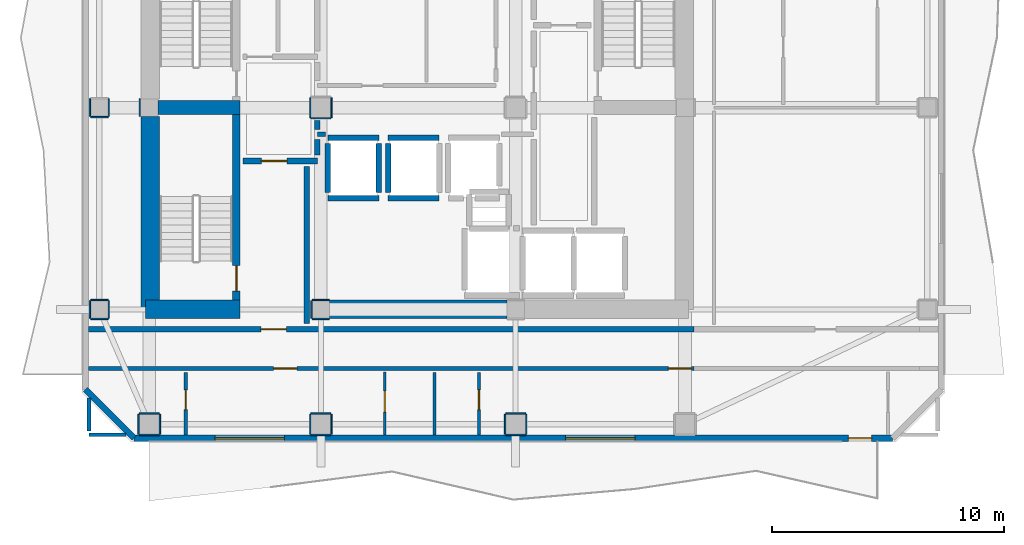
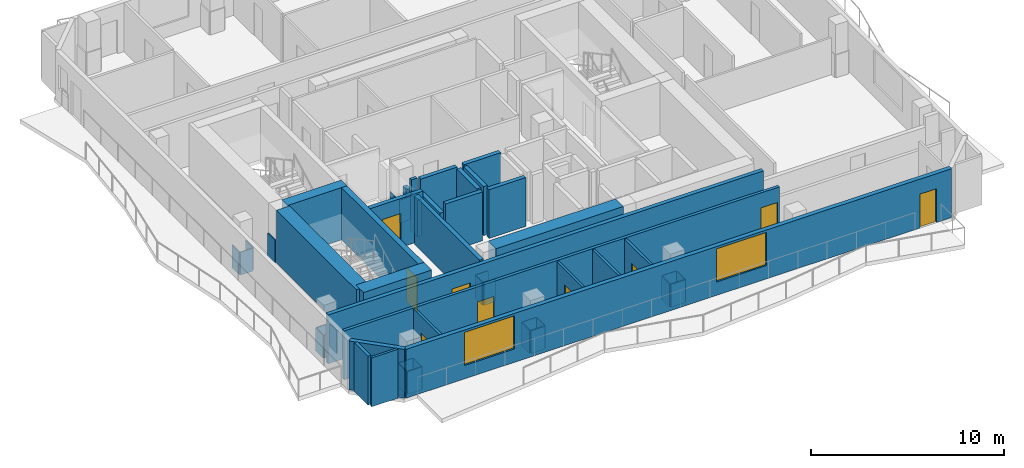
# One storey, part 2 of 9: 53 walls, 9 doors, 2 windows, 11 openings.
"""IFC4 building model written with IfcOpenShell, lengths in metres."""

from ifc_helpers import new_model, si_unit, direction, frame, frame_2d, origin, place, context, subcontext, project, spatial, rectangle, extrude, material, layer, layer_set, type_object, element, fill, save


model = new_model("IFC4")

# Units and contexts
model_context = context("Model", 3, precision=1e-05, world=origin(), true_north=direction((0.0, 1.0)))
body_context = subcontext(model_context, "Body", "Model", "MODEL_VIEW")
ifc_project = project(units=[si_unit("LENGTHUNIT", "METRE"), si_unit("AREAUNIT", "SQUARE_METRE"), si_unit("VOLUMEUNIT", "CUBIC_METRE"), si_unit("PLANEANGLEUNIT", "RADIAN"), si_unit("MASSUNIT", "GRAM", prefix="KILO")], contexts=[model_context])

# Site, building, storey
site_placement = place(None, origin())
site = spatial("IfcSite", under=ifc_project, at=site_placement, CompositionType="ELEMENT")
building_placement = place(site_placement, origin())
building = spatial("IfcBuilding", under=site, at=building_placement, Name="Solanera Arch Residences", CompositionType="ELEMENT")
storey_placement = place(building_placement, frame((0.0, 0.0, 241.239990234375)))
storey = spatial("IfcBuildingStorey", under=building, at=storey_placement, Name="L70", CompositionType="ELEMENT", Elevation=241.239990234375)

# Walls
ifc_material_1 = material(Name="Fire-Rated Gypsum Stud Partition", Category="gypsum")
ifc_layer_1 = layer(ifc_material_1, 0.06005859375)
ifc_layer_set_1 = layer_set([ifc_layer_1], Name="Fire-Rated Gypsum Stud Partition")
wall_type_1 = type_object("IfcWallType", Name="Column Acoustic Furring Wall 60", PredefinedType="PARTITIONING", material=ifc_layer_set_1)
for number, where, z_axis, x_axis, name in (
    (1, (20.425048828125, 21.593017578125, 0.0), (0.0, 0.0, 1.0), (1.0, 0.0, 0.0), "L70 Column Furring 1S"),
    (2, (20.425048828125, 22.406982421875, 0.0), (0.0, 0.0, 1.0), (1.0, 0.0, 0.0), "L70 Column Furring 1N"),
):
    element("IfcWall", number, at=place(storey_placement, frame(where, z_axis=z_axis, x_axis=x_axis)), inside=storey, type_object=wall_type_1, Name=name, PredefinedType="PARTITIONING", context=body_context, shape_type="SweptSolid", body=[
        extrude(rectangle(XDim=0.741943359375, YDim=0.06005859375, at=frame_2d((0.37109375, 0.0))), origin(), (0.0, 0.0, 1.0), 1.449951171875),
    ])
for number, where, z_axis, x_axis, name in (
    (3, (20.39306640625, 21.625, 0.0), (0.0, 0.0, 1.0), (0.0, 1.0, 0.0), "L70 Column Furring 1W"),
    (4, (12.992919921875, 30.324951171875, 0.0), (0.0, 0.0, 1.0), (0.0, 1.0, 0.0), "L70 Column Furring 5W"),
):
    element("IfcWall", number, at=place(storey_placement, frame(where, z_axis=z_axis, x_axis=x_axis)), inside=storey, type_object=wall_type_1, Name=name, PredefinedType="PARTITIONING", context=body_context, shape_type="SweptSolid", body=[
        extrude(rectangle(XDim=0.75, YDim=0.06005859375, at=frame_2d((0.375, 0.0))), origin(), (0.0, 0.0, 1.0), 1.449951171875),
    ])
for number, where, z_axis, x_axis, name in (
    (5, (20.375, 30.242919921875, 0.0), (0.0, 0.0, 1.0), (1.0, 0.0, 0.0), "L70 Column Furring 7S"),
    (6, (20.343017578125, 30.27490234375, 0.0), (0.0, 0.0, 1.0), (0.0, 1.0, 0.0), "L70 Column Furring 7W"),
    (7, (21.257080078125, 30.27490234375, 0.0), (0.0, 0.0, 1.0), (0.0, 1.0, 0.0), "L70 Column Furring 7E"),
):
    element("IfcWall", number, at=place(storey_placement, frame(where, z_axis=z_axis, x_axis=x_axis)), inside=storey, type_object=wall_type_1, Name=name, PredefinedType="PARTITIONING", context=body_context, shape_type="SweptSolid", body=[
        extrude(rectangle(XDim=0.85009765625, YDim=0.06005859375, at=frame_2d((0.425048828125, 0.0))), origin(), (0.0, 0.0, 1.0), 1.449951171875),
    ])
for number, where, z_axis, x_axis, name in (
    (8, (12.97509765625, 16.593017578125, 0.0), (0.0, 0.0, 1.0), (1.0, 0.0, 0.0), "L70 Column Furring 9S"),
    (9, (12.97509765625, 17.507080078125, 0.0), (0.0, 0.0, 1.0), (1.0, 0.0, 0.0), "L70 Column Furring 9N"),
):
    element("IfcWall", number, at=place(storey_placement, frame(where, z_axis=z_axis, x_axis=x_axis)), inside=storey, type_object=wall_type_1, Name=name, PredefinedType="PARTITIONING", context=body_context, shape_type="SweptSolid", body=[
        extrude(rectangle(XDim=0.849853515625, YDim=0.06005859375, at=frame_2d((0.4248046875, 0.0))), origin(), (0.0, 0.0, 1.0), 1.449951171875),
    ])
for number, where, z_axis, x_axis, name in (
    (10, (12.943115234375, 16.625, 0.0), (0.0, 0.0, 1.0), (0.0, 1.0, 0.0), "L70 Column Furring 9W"),
    (11, (13.85693359375, 16.625, 0.0), (0.0, 0.0, 1.0), (0.0, 1.0, 0.0), "L70 Column Furring 9E"),
    (12, (20.375, 16.593017578125, 0.0), (0.0, 0.0, 1.0), (1.0, 0.0, 0.0), "L70 Column Furring 11S"),
    (13, (20.375, 17.507080078125, 0.0), (0.0, 0.0, 1.0), (1.0, 0.0, 0.0), "L70 Column Furring 11N"),
    (14, (20.343017578125, 16.625, 0.0), (0.0, 0.0, 1.0), (0.0, 1.0, 0.0), "L70 Column Furring 11W"),
    (15, (21.257080078125, 16.625, 0.0), (0.0, 0.0, 1.0), (0.0, 1.0, 0.0), "L70 Column Furring 11E"),
    (16, (28.77490234375, 16.593017578125, 0.0), (0.0, 0.0, 1.0), (1.0, 0.0, 0.0), "L70 Column Furring 13S"),
    (17, (28.77490234375, 17.507080078125, 0.0), (0.0, 0.0, 1.0), (1.0, 0.0, 0.0), "L70 Column Furring 13N"),
    (18, (28.742919921875, 16.625, 0.0), (0.0, 0.0, 1.0), (0.0, 1.0, 0.0), "L70 Column Furring 13W"),
    (19, (29.656982421875, 16.625, 0.0), (0.0, 0.0, 1.0), (0.0, 1.0, 0.0), "L70 Column Furring 13E"),
):
    element("IfcWall", number, at=place(storey_placement, frame(where, z_axis=z_axis, x_axis=x_axis)), inside=storey, type_object=wall_type_1, Name=name, PredefinedType="PARTITIONING", context=body_context, shape_type="SweptSolid", body=[
        extrude(rectangle(XDim=0.85009765625, YDim=0.06005859375, at=frame_2d((0.425048828125, 0.0))), origin(), (0.0, 0.0, 1.0), 1.449951171875),
    ])
for number, where, z_axis, x_axis, name in (
    (20, (10.875, 21.593017578125, 0.0), (0.0, 0.0, 1.0), (1.0, 0.0, 0.0), "L70 Column Furring 17S"),
    (21, (10.875, 22.406982421875, 0.0), (0.0, 0.0, 1.0), (1.0, 0.0, 0.0), "L70 Column Furring 17N"),
    (22, (10.843017578125, 21.625, 0.0), (0.0, 0.0, 1.0), (0.0, 1.0, 0.0), "L70 Column Furring 17W"),
    (23, (11.656982421875, 21.625, 0.0), (0.0, 0.0, 1.0), (0.0, 1.0, 0.0), "L70 Column Furring 17E"),
    (24, (10.875, 30.29296875, 0.0), (0.0, 0.0, 1.0), (1.0, 0.0, 0.0), "L70 Column Furring 19S"),
    (25, (10.843017578125, 30.324951171875, 0.0), (0.0, 0.0, 1.0), (0.0, 1.0, 0.0), "L70 Column Furring 19W"),
    (26, (11.656982421875, 30.324951171875, 0.0), (0.0, 0.0, 1.0), (0.0, 1.0, 0.0), "L70 Column Furring 19E"),
):
    element("IfcWall", number, at=place(storey_placement, frame(where, z_axis=z_axis, x_axis=x_axis)), inside=storey, type_object=wall_type_1, Name=name, PredefinedType="PARTITIONING", context=body_context, shape_type="SweptSolid", body=[
        extrude(rectangle(XDim=0.75, YDim=0.06005859375, at=frame_2d((0.375, 0.0))), origin(), (0.0, 0.0, 1.0), 1.449951171875),
    ])

# Wall, opening, door
ifc_material_2 = material(Name="Concrete C40/50 (f'c = 45 MPa)", Category="concrete")
ifc_layer_2 = layer(ifc_material_2, 0.320068359375)
ifc_layer_set_2 = layer_set([ifc_layer_2], Name="Concrete C40/50 (f'c = 45 MPa)")
wall_type_2 = type_object("IfcWallType", Name="Core Shear Wall CW-320", PredefinedType="SHEAR", material=ifc_layer_set_2)
wall_1_placement = place(storey_placement, frame((17.159912109375, 22.39990234375, 0.0), z_axis=(0.0, 0.0, 1.0), x_axis=(0.0, 1.0, 0.0)))
wall_1 = element("IfcWall", 27, at=wall_1_placement, inside=storey, type_object=wall_type_2, Name="L70 Stair ST-T3 East Shear Wall", PredefinedType="SHEAR", context=body_context, shape_type="SweptSolid", body=[
    extrude(rectangle(XDim=8.0, YDim=0.320068359375, at=frame_2d((4.0, 0.0))), origin(), (0.0, 0.0, 1.0), 3.320068359375),
])
opening_1_placement = place(wall_1_placement, frame((0.389892578125, 0.0, 0.0)))
opening_1 = element("IfcOpeningElement", 28, at=opening_1_placement, cuts=wall_1, Name="Opening DF-01", PredefinedType="OPENING", context=body_context, shape_type="SweptSolid", body=[
    extrude(rectangle(XDim=1.10009765625, YDim=2.14990234375, at=frame_2d((0.550048828125, 1.074951171875))), frame((0.0, 0.169921875, 0.0), z_axis=(0.0, -1.0, 0.0), x_axis=(1.0, 0.0, 0.0)), (0.0, 0.0, 1.0), 0.3401),
])
ifc_material_3 = material(Name="Fire-Rated Architectural Hardwood", Category="wood")
door_type_1 = type_object("IfcDoorType", Name="Stair Exit Fire Door DF-01", OperationType="NOTDEFINED", PredefinedType="DOOR", material=ifc_material_3)
door_1_placement = place(opening_1_placement, origin())
door_1 = element("IfcDoor", 29, at=door_1_placement, inside=storey, type_object=door_type_1, Name="DR-L70-STAIR-ST-T3", OperationType="SINGLE_SWING_LEFT", OverallHeight=2.14990234375, OverallWidth=1.10009765625, PredefinedType="DOOR", context=body_context, shape_type="SweptSolid", body=[
    extrude(rectangle(XDim=1.10009765625, YDim=2.14990234375, at=frame_2d((0.550048828125, 1.074951171875))), frame((0.0, 0.02490234375, 0.0), z_axis=(0.0, -1.0, 0.0), x_axis=(1.0, 0.0, 0.0)), (0.0, 0.0, 1.0), 0.050048828125),
])
fill(opening_1, door_1)

# Walls
ifc_material_4 = material(Name="Concrete C40/50 (f'c = 45 MPa)", Category="concrete")
ifc_layer_3 = layer(ifc_material_4, 0.60009765625)
ifc_layer_set_3 = layer_set([ifc_layer_3], Name="Concrete C40/50 (f'c = 45 MPa)")
wall_type_3 = type_object("IfcWallType", Name="Core Shear Wall CW-600", PredefinedType="SHEAR", material=ifc_layer_set_3)
wall_2_placement = place(storey_placement, frame((13.780029296875, 30.699951171875, 0.0), z_axis=(0.0, 0.0, 1.0), x_axis=(1.0, 0.0, 0.0)))
element("IfcWall", 30, at=wall_2_placement, inside=storey, type_object=wall_type_3, Name="L70 West Stair Divider Shear Wall", PredefinedType="SHEAR", context=body_context, shape_type="SweptSolid", body=[
    extrude(rectangle(XDim=3.5400390625, YDim=0.60009765625, at=frame_2d((1.77001953125, 0.0))), origin(), (0.0, 0.0, 1.0), 3.320068359375),
])
ifc_material_5 = material(Name="Concrete C40/50 (f'c = 45 MPa)", Category="concrete")
ifc_layer_4 = layer(ifc_material_5, 0.800048828125)
ifc_layer_set_4 = layer_set([ifc_layer_4], Name="Concrete C40/50 (f'c = 45 MPa)")
wall_type_4 = type_object("IfcWallType", Name="Core Shear Wall CW-800", PredefinedType="SHEAR", material=ifc_layer_set_4)
wall_3_placement = place(storey_placement, frame((13.43994140625, 22.0, 0.0), z_axis=(0.0, 0.0, 1.0), x_axis=(0.0, 1.0, 0.0)))
element("IfcWall", 31, at=wall_3_placement, inside=storey, type_object=wall_type_4, Name="L70 West Core South Shear Wall", PredefinedType="SHEAR", context=body_context, shape_type="SweptSolid", body=[
    extrude(rectangle(XDim=8.320068359375, YDim=0.800048828125, at=frame_2d((4.16015625, 0.0))), origin(), (0.0, 0.0, 1.0), 3.320068359375),
])
wall_4_placement = place(storey_placement, frame((13.239990234375, 22.0, 0.0), z_axis=(0.0, 0.0, 1.0), x_axis=(1.0, 0.0, 0.0)))
element("IfcWall", 32, at=wall_4_placement, inside=storey, type_object=wall_type_4, Name="L70 South-West Core Shear Wall", PredefinedType="SHEAR", context=body_context, shape_type="SweptSolid", body=[
    extrude(rectangle(XDim=4.080078125, YDim=0.800048828125, at=frame_2d((2.0400390625, 0.0))), origin(), (0.0, 0.0, 1.0), 3.320068359375),
])
wall_5_placement = place(storey_placement, frame((21.179931640625, 22.0, 0.0), z_axis=(0.0, 0.0, 1.0), x_axis=(1.0, 0.0, 0.0)))
element("IfcWall", 33, at=wall_5_placement, inside=storey, type_object=wall_type_4, Name="L70 Central South Core Shear Wall", PredefinedType="SHEAR", context=body_context, shape_type="SweptSolid", body=[
    extrude(rectangle(XDim=7.64013671875, YDim=0.800048828125, at=frame_2d((3.820068359375, 0.0))), origin(), (0.0, 0.0, 1.0), 3.320068359375),
])

# Wall, openings, doors
ifc_material_6 = material(Name="Autoclaved Aerated Concrete Blockwork", Category="masonry")
ifc_layer_5 = layer(ifc_material_6, 0.179931640625)
ifc_layer_set_5 = layer_set([ifc_layer_5], Name="Autoclaved Aerated Concrete Blockwork")
wall_type_5 = type_object("IfcWallType", Name="Corridor Fire Partition 180", PredefinedType="PARTITIONING", material=ifc_layer_set_5)
wall_6_placement = place(storey_placement, frame((10.787109375, 19.449951171875, 0.0), z_axis=(0.0, 0.0, 1.0), x_axis=(1.0, 0.0, 0.0)))
wall_6 = element("IfcWall", 34, at=wall_6_placement, inside=storey, type_object=wall_type_5, Name="L70 Interior Partition H6 1", PredefinedType="PARTITIONING", context=body_context, shape_type="SweptSolid", body=[
    extrude(rectangle(XDim=26.101806640625, YDim=0.179931640625, at=frame_2d((13.05078125, 0.0))), origin(), (0.0, 0.0, 1.0), 3.10009765625),
])
opening_2_placement = place(wall_6_placement, frame((7.97998046875, 0.0, 0.0)))
opening_2 = element("IfcOpeningElement", 35, at=opening_2_placement, cuts=wall_6, Name="Opening DI-01", PredefinedType="OPENING", context=body_context, shape_type="SweptSolid", body=[
    extrude(rectangle(XDim=1.0, YDim=2.14990234375, at=frame_2d((0.5, 1.074951171875))), frame((0.0, 0.10009765625, 0.0), z_axis=(0.0, -1.0, 0.0), x_axis=(1.0, 0.0, 0.0)), (0.0, 0.0, 1.0), 0.1999),
])
opening_3_placement = place(wall_6_placement, frame((24.991943359375, 0.0, 0.0)))
opening_3 = element("IfcOpeningElement", 36, at=opening_3_placement, cuts=wall_6, Name="Opening DI-01", PredefinedType="OPENING", context=body_context, shape_type="SweptSolid", body=[
    extrude(rectangle(XDim=1.0, YDim=2.14990234375, at=frame_2d((0.5, 1.074951171875))), frame((0.0, 0.10009765625, 0.0), z_axis=(0.0, -1.0, 0.0), x_axis=(1.0, 0.0, 0.0)), (0.0, 0.0, 1.0), 0.1999),
])
ifc_material_7 = material(Name="Fire-Rated Architectural Hardwood", Category="wood")
door_type_2 = type_object("IfcDoorType", Name="Unit Entrance Fire Door DI-01", OperationType="NOTDEFINED", PredefinedType="DOOR", material=ifc_material_7)
door_2_placement = place(opening_2_placement, origin())
door_2 = element("IfcDoor", 37, at=door_2_placement, inside=storey, type_object=door_type_2, Name="DR-L70-IN-014", OperationType="SINGLE_SWING_RIGHT", OverallHeight=2.14990234375, OverallWidth=1.0, PredefinedType="DOOR", context=body_context, shape_type="SweptSolid", body=[
    extrude(rectangle(XDim=1.0, YDim=2.14990234375, at=frame_2d((0.5, 1.074951171875))), frame((0.0, 0.02490234375, 0.0), z_axis=(0.0, -1.0, 0.0), x_axis=(1.0, 0.0, 0.0)), (0.0, 0.0, 1.0), 0.050048828125),
])
fill(opening_2, door_2)
door_3_placement = place(opening_3_placement, origin())
door_3 = element("IfcDoor", 38, at=door_3_placement, inside=storey, type_object=door_type_2, Name="DR-L70-IN-017", OperationType="SINGLE_SWING_LEFT", OverallHeight=2.14990234375, OverallWidth=1.0, PredefinedType="DOOR", context=body_context, shape_type="SweptSolid", body=[
    extrude(rectangle(XDim=1.0, YDim=2.14990234375, at=frame_2d((0.5, 1.074951171875))), frame((0.0, 0.02490234375, 0.0), z_axis=(0.0, -1.0, 0.0), x_axis=(1.0, 0.0, 0.0)), (0.0, 0.0, 1.0), 0.050048828125),
])
fill(opening_3, door_3)

# Walls
wall_7_placement = place(storey_placement, frame((20.64990234375, 29.550048828125, 0.0), z_axis=(0.0, 0.0, 1.0), x_axis=(1.0, 0.0, 0.0)))
element("IfcWall", 39, at=wall_7_placement, inside=storey, type_object=wall_type_5, Name="L70 Interior Partition H7 1", PredefinedType="PARTITIONING", context=body_context, shape_type="SweptSolid", body=[
    extrude(rectangle(XDim=0.357177734375, YDim=0.179931640625, at=frame_2d((0.1787109375, 0.0))), origin(), (0.0, 0.0, 1.0), 3.10009765625),
])
wall_8_placement = place(storey_placement, frame((10.800048828125, 16.76806640625, 0.0), z_axis=(0.0, 0.0, 1.0), x_axis=(0.0, 1.0, 0.0)))
element("IfcWall", 40, at=wall_8_placement, inside=storey, type_object=wall_type_5, Name="L70 Interior Partition V6", PredefinedType="PARTITIONING", context=body_context, shape_type="SweptSolid", body=[
    extrude(rectangle(XDim=1.4208984375, YDim=0.179931640625, at=frame_2d((0.71044921875, 0.0))), origin(), (0.0, 0.0, 1.0), 3.10009765625),
])

# Wall, openings, door, windows
ifc_material_8 = material(Name="Precast Concrete C35/45", Category="concrete")
ifc_layer_6 = layer(ifc_material_8, 0.260009765625)
ifc_layer_set_6 = layer_set([ifc_layer_6], Name="Precast Concrete C35/45")
wall_type_6 = type_object("IfcWallType", Name="Exterior Wall Precast Masonry-Frame 260", PredefinedType="STANDARD", material=ifc_layer_set_6)
wall_9_placement = place(storey_placement, frame((45.455078125, 16.445068359375, 0.0), z_axis=(0.0, 0.0, 1.0), x_axis=(-1.0, 0.0, 0.0)))
wall_9 = element("IfcWall", 41, at=wall_9_placement, inside=storey, type_object=wall_type_6, Name="L70 Tower Exterior Precast Masonry-Frame Wall S", PredefinedType="STANDARD", context=body_context, shape_type="SweptSolid", body=[
    extrude(rectangle(XDim=32.7099609375, YDim=0.260009765625, at=frame_2d((16.35498046875, 0.0))), origin(), (0.0, 0.0, 1.0), 3.10009765625),
])
opening_4_placement = place(wall_9_placement, frame((0.906982421875, 0.0, 0.0)))
opening_4 = element("IfcOpeningElement", 42, at=opening_4_placement, cuts=wall_9, Name="Opening DB-01", PredefinedType="OPENING", context=body_context, shape_type="SweptSolid", body=[
    extrude(rectangle(XDim=1.0, YDim=2.14990234375, at=frame_2d((0.5, 1.074951171875))), frame((0.0, 0.139892578125, 0.0), z_axis=(0.0, -1.0, 0.0), x_axis=(1.0, 0.0, 0.0)), (0.0, 0.0, 1.0), 0.28),
])
opening_5_placement = place(wall_9_placement, frame((26.22705078125, 0.0, 0.85009765625)))
opening_5 = element("IfcOpeningElement", 43, at=opening_5_placement, cuts=wall_9, Name="Opening W-12", PredefinedType="OPENING", context=body_context, shape_type="SweptSolid", body=[
    extrude(rectangle(XDim=3.0, YDim=2.10009765625, at=frame_2d((1.5, 1.050048828125))), frame((0.0, 0.139892578125, 0.0), z_axis=(0.0, -1.0, 0.0), x_axis=(1.0, 0.0, 0.0)), (0.0, 0.0, 1.0), 0.28),
])
opening_6_placement = place(wall_9_placement, frame((11.10498046875, 0.0, 0.85009765625)))
opening_6 = element("IfcOpeningElement", 44, at=opening_6_placement, cuts=wall_9, Name="Opening W-12", PredefinedType="OPENING", context=body_context, shape_type="SweptSolid", body=[
    extrude(rectangle(XDim=3.0, YDim=2.10009765625, at=frame_2d((1.5, 1.050048828125))), frame((0.0, 0.139892578125, 0.0), z_axis=(0.0, -1.0, 0.0), x_axis=(1.0, 0.0, 0.0)), (0.0, 0.0, 1.0), 0.28),
])
ifc_material_9 = material(Name="Anodised Aluminium Alloy 6063-T6", Category="aluminium")
door_type_3 = type_object("IfcDoorType", Name="Glazed Balcony Swing Door DB-01", OperationType="NOTDEFINED", PredefinedType="DOOR", material=ifc_material_9)
door_4_placement = place(opening_4_placement, origin())
door_4 = element("IfcDoor", 45, at=door_4_placement, inside=storey, type_object=door_type_3, Name="DR-L70-OUT-01", OperationType="SINGLE_SWING_RIGHT", OverallHeight=2.14990234375, OverallWidth=1.0, PredefinedType="DOOR", context=body_context, shape_type="SweptSolid", body=[
    extrude(rectangle(XDim=1.0, YDim=2.14990234375, at=frame_2d((0.5, 1.074951171875))), frame((0.0, 0.02490234375, 0.0), z_axis=(0.0, -1.0, 0.0), x_axis=(1.0, 0.0, 0.0)), (0.0, 0.0, 1.0), 0.050048828125),
])
fill(opening_4, door_4)
ifc_material_10 = material(Name="Double Glazed Low-E Laminated Glass", Category="glass")
window_type = type_object("IfcWindowType", Name="Punched Window W-12", PartitioningType="TRIPLE_PANEL_VERTICAL", PredefinedType="WINDOW", material=ifc_material_10)
window_1_placement = place(opening_5_placement, origin())
window_1 = element("IfcWindow", 46, at=window_1_placement, inside=storey, type_object=window_type, Name="L70 7001-LIV Punched Window", OverallHeight=2.10009765625, OverallWidth=3.0, PartitioningType="SINGLE_PANEL", PredefinedType="WINDOW", context=body_context, shape_type="SweptSolid", body=[
    extrude(rectangle(XDim=3.0, YDim=2.10009765625, at=frame_2d((1.5, 1.050048828125))), frame((0.0, 0.030029296875, 0.0), z_axis=(0.0, -1.0, 0.0), x_axis=(1.0, 0.0, 0.0)), (0.0, 0.0, 1.0), 0.06005859375),
])
fill(opening_5, window_1)
window_2_placement = place(opening_6_placement, origin())
window_2 = element("IfcWindow", 47, at=window_2_placement, inside=storey, type_object=window_type, Name="L70 7002-LIV Punched Window", OverallHeight=2.10009765625, OverallWidth=3.0, PartitioningType="SINGLE_PANEL", PredefinedType="WINDOW", context=body_context, shape_type="SweptSolid", body=[
    extrude(rectangle(XDim=3.0, YDim=2.10009765625, at=frame_2d((1.5, 1.050048828125))), frame((0.0, 0.030029296875, 0.0), z_axis=(0.0, -1.0, 0.0), x_axis=(1.0, 0.0, 0.0)), (0.0, 0.0, 1.0), 0.06005859375),
])
fill(opening_6, window_2)

# Walls
wall_10_placement = place(storey_placement, frame((12.7451171875, 16.445068359375, 0.0), z_axis=(0.0, 0.0, 1.0), x_axis=(-0.707147883682, 0.707065676302, 0.0)))
element("IfcWall", 48, at=wall_10_placement, inside=storey, type_object=wall_type_6, Name="L70 Tower Exterior Precast Masonry-Frame Wall CH7", PredefinedType="STANDARD", context=body_context, shape_type="SweptSolid", body=[
    extrude(rectangle(XDim=2.9697265625, YDim=0.260009765625, at=frame_2d((1.48486328125, 0.0))), origin(), (0.0, 0.0, 1.0), 3.10009765625),
])
ifc_material_11 = material(Name="Autoclaved Aerated Concrete Blockwork", Category="masonry")
ifc_layer_7 = layer(ifc_material_11, 0.239990234375)
ifc_layer_set_7 = layer_set([ifc_layer_7], Name="Autoclaved Aerated Concrete Blockwork")
wall_type_7 = type_object("IfcWallType", Name="Shaft Wall Fire-Rated 240", PredefinedType="PARTITIONING", material=ifc_layer_set_7)
for number, where, z_axis, x_axis, name in (
    (49, (21.10009765625, 26.800048828125, 0.0), (0.0, 0.0, 1.0), (1.0, 0.0, 0.0), "L70 Lift PL-H1 Hoistway Wall S"),
    (50, (21.10009765625, 29.39990234375, 0.0), (0.0, 0.0, 1.0), (1.0, 0.0, 0.0), "L70 Lift PL-H1 Hoistway Wall N"),
):
    element("IfcWall", number, at=place(storey_placement, frame(where, z_axis=z_axis, x_axis=x_axis)), inside=storey, type_object=wall_type_7, Name=name, PredefinedType="PARTITIONING", context=body_context, shape_type="SweptSolid", body=[
        extrude(rectangle(XDim=2.199951171875, YDim=0.239990234375, at=frame_2d((1.10009765625, 0.0))), origin(), (0.0, 0.0, 1.0), 3.10009765625),
    ])
wall_11_placement = place(storey_placement, frame((21.10009765625, 27.048095703125, 0.0), z_axis=(0.0, 0.0, 1.0), x_axis=(0.0, 1.0, 0.0)))
element("IfcWall", 51, at=wall_11_placement, inside=storey, type_object=wall_type_7, Name="L70 Lift PL-H1 Hoistway Wall W", PredefinedType="PARTITIONING", context=body_context, shape_type="SweptSolid", body=[
    extrude(rectangle(XDim=2.10400390625, YDim=0.239990234375, at=frame_2d((1.052001953125, 0.0))), origin(), (0.0, 0.0, 1.0), 2.3349609375),
])
wall_12_placement = place(storey_placement, frame((23.300048828125, 27.048095703125, 0.0), z_axis=(0.0, 0.0, 1.0), x_axis=(0.0, 1.0, 0.0)))
element("IfcWall", 52, at=wall_12_placement, inside=storey, type_object=wall_type_7, Name="L70 Lift PL-H1 Hoistway Wall E", PredefinedType="PARTITIONING", context=body_context, shape_type="SweptSolid", body=[
    extrude(rectangle(XDim=2.10400390625, YDim=0.239990234375, at=frame_2d((1.052001953125, 0.0))), origin(), (0.0, 0.0, 1.0), 3.10009765625),
])
for number, where, z_axis, x_axis, name in (
    (53, (23.699951171875, 26.800048828125, 0.0), (0.0, 0.0, 1.0), (1.0, 0.0, 0.0), "L70 Lift PL-H2 Hoistway Wall S"),
    (54, (23.699951171875, 29.39990234375, 0.0), (0.0, 0.0, 1.0), (1.0, 0.0, 0.0), "L70 Lift PL-H2 Hoistway Wall N"),
):
    element("IfcWall", number, at=place(storey_placement, frame(where, z_axis=z_axis, x_axis=x_axis)), inside=storey, type_object=wall_type_7, Name=name, PredefinedType="PARTITIONING", context=body_context, shape_type="SweptSolid", body=[
        extrude(rectangle(XDim=2.199951171875, YDim=0.239990234375, at=frame_2d((1.10009765625, 0.0))), origin(), (0.0, 0.0, 1.0), 3.10009765625),
    ])
wall_13_placement = place(storey_placement, frame((23.699951171875, 27.048095703125, 0.0), z_axis=(0.0, 0.0, 1.0), x_axis=(0.0, 1.0, 0.0)))
element("IfcWall", 55, at=wall_13_placement, inside=storey, type_object=wall_type_7, Name="L70 Lift PL-H2 Hoistway Wall W", PredefinedType="PARTITIONING", context=body_context, shape_type="SweptSolid", body=[
    extrude(rectangle(XDim=2.10400390625, YDim=0.239990234375, at=frame_2d((1.052001953125, 0.0))), origin(), (0.0, 0.0, 1.0), 3.10009765625),
])

# Wall, opening, door
wall_14_placement = place(storey_placement, frame((10.787109375, 21.14990234375, 0.0), z_axis=(0.0, 0.0, 1.0), x_axis=(1.0, 0.0, 0.0)))
wall_14 = element("IfcWall", 56, at=wall_14_placement, inside=storey, type_object=wall_type_7, Name="L70 Interior Partition H1 1", PredefinedType="PARTITIONING", context=body_context, shape_type="SweptSolid", body=[
    extrude(rectangle(XDim=26.101806640625, YDim=0.239990234375, at=frame_2d((13.05078125, 0.0))), origin(), (0.0, 0.0, 1.0), 3.10009765625),
])
opening_7_placement = place(wall_14_placement, frame((7.423095703125, 0.0, 0.0)))
opening_7 = element("IfcOpeningElement", 57, at=opening_7_placement, cuts=wall_14, Name="Opening DF-02", PredefinedType="OPENING", context=body_context, shape_type="SweptSolid", body=[
    extrude(rectangle(XDim=1.10009765625, YDim=2.14990234375, at=frame_2d((0.550048828125, 1.074951171875))), frame((0.0, 0.1298828125, 0.0), z_axis=(0.0, -1.0, 0.0), x_axis=(1.0, 0.0, 0.0)), (0.0, 0.0, 1.0), 0.26),
])
ifc_material_12 = material(Name="Fire-Rated Architectural Hardwood", Category="wood")
door_type_4 = type_object("IfcDoorType", Name="Firefighting Lobby Fire Door DF-02", OperationType="NOTDEFINED", PredefinedType="DOOR", material=ifc_material_12)
door_5_placement = place(opening_7_placement, origin())
door_5 = element("IfcDoor", 58, at=door_5_placement, inside=storey, type_object=door_type_4, Name="DR-L70-IN-008", OperationType="SINGLE_SWING_RIGHT", OverallHeight=2.14990234375, OverallWidth=1.10009765625, PredefinedType="DOOR", context=body_context, shape_type="SweptSolid", body=[
    extrude(rectangle(XDim=1.10009765625, YDim=2.14990234375, at=frame_2d((0.550048828125, 1.074951171875))), frame((0.0, 0.02490234375, 0.0), z_axis=(0.0, -1.0, 0.0), x_axis=(1.0, 0.0, 0.0)), (0.0, 0.0, 1.0), 0.050048828125),
])
fill(opening_7, door_5)

wall_15_placement = place(storey_placement, frame((17.449951171875, 28.39990234375, 0.0), z_axis=(0.0, 0.0, 1.0), x_axis=(1.0, 0.0, 0.0)))
wall_15 = element("IfcWall", 59, at=wall_15_placement, inside=storey, type_object=wall_type_7, Name="L70 Interior Partition H3", PredefinedType="PARTITIONING", context=body_context, shape_type="SweptSolid", body=[
    extrude(rectangle(XDim=3.199951171875, YDim=0.239990234375, at=frame_2d((1.60009765625, 0.0))), origin(), (0.0, 0.0, 1.0), 3.10009765625),
])
opening_8_placement = place(wall_15_placement, frame((0.783935546875, 0.0, 0.0)))
opening_8 = element("IfcOpeningElement", 60, at=opening_8_placement, cuts=wall_15, Name="Opening DF-02", PredefinedType="OPENING", context=body_context, shape_type="SweptSolid", body=[
    extrude(rectangle(XDim=1.10009765625, YDim=2.14990234375, at=frame_2d((0.550048828125, 1.074951171875))), frame((0.0, 0.1298828125, 0.0), z_axis=(0.0, -1.0, 0.0), x_axis=(1.0, 0.0, 0.0)), (0.0, 0.0, 1.0), 0.26),
])
door_6_placement = place(opening_8_placement, origin())
door_6 = element("IfcDoor", 61, at=door_6_placement, inside=storey, type_object=door_type_4, Name="DR-L70-IN-004", OperationType="SINGLE_SWING_RIGHT", OverallHeight=2.14990234375, OverallWidth=1.10009765625, PredefinedType="DOOR", context=body_context, shape_type="SweptSolid", body=[
    extrude(rectangle(XDim=1.10009765625, YDim=2.14990234375, at=frame_2d((0.550048828125, 1.074951171875))), frame((0.0, 0.02490234375, 0.0), z_axis=(0.0, -1.0, 0.0), x_axis=(1.0, 0.0, 0.0)), (0.0, 0.0, 1.0), 0.050048828125),
])
fill(opening_8, door_6)

# Walls
wall_16_placement = place(storey_placement, frame((20.199951171875, 21.39794921875, 0.0), z_axis=(0.0, 0.0, 1.0), x_axis=(0.0, 1.0, 0.0)))
element("IfcWall", 62, at=wall_16_placement, inside=storey, type_object=wall_type_7, Name="L70 Interior Partition V2", PredefinedType="PARTITIONING", context=body_context, shape_type="SweptSolid", body=[
    extrude(rectangle(XDim=6.754150390625, YDim=0.239990234375, at=frame_2d((3.376953125, 0.0))), origin(), (0.0, 0.0, 1.0), 3.10009765625),
])
wall_17_placement = place(storey_placement, frame((20.64990234375, 28.64794921875, 0.0), z_axis=(0.0, 0.0, 1.0), x_axis=(0.0, 1.0, 0.0)))
element("IfcWall", 63, at=wall_17_placement, inside=storey, type_object=wall_type_7, Name="L70 Interior Partition V3 1", PredefinedType="PARTITIONING", context=body_context, shape_type="SweptSolid", body=[
    extrude(rectangle(XDim=0.68408203125, YDim=0.239990234375, at=frame_2d((0.342041015625, 0.0))), origin(), (0.0, 0.0, 1.0), 2.3349609375),
])
wall_18_placement = place(storey_placement, frame((20.64990234375, 29.76806640625, 0.0), z_axis=(0.0, 0.0, 1.0), x_axis=(0.0, 1.0, 0.0)))
element("IfcWall", 64, at=wall_18_placement, inside=storey, type_object=wall_type_7, Name="L70 Interior Partition V3 2", PredefinedType="PARTITIONING", context=body_context, shape_type="SweptSolid", body=[
    extrude(rectangle(XDim=0.375, YDim=0.239990234375, at=frame_2d((0.1875, 0.0))), origin(), (0.0, 0.0, 1.0), 2.3349609375),
])

# Wall, opening, door
ifc_material_13 = material(Name="Fire-Rated Gypsum Stud Partition", Category="gypsum")
ifc_layer_8 = layer(ifc_material_13, 0.1201171875)
ifc_layer_set_8 = layer_set([ifc_layer_8], Name="Fire-Rated Gypsum Stud Partition")
wall_type_8 = type_object("IfcWallType", Name="Unit Drywall Partition 120", PredefinedType="PARTITIONING", material=ifc_layer_set_8)
wall_19_placement = place(storey_placement, frame((23.553955078125, 16.5869140625, 0.0), z_axis=(0.0, 0.0, 1.0), x_axis=(0.0, 1.0, 0.0)))
wall_19 = element("IfcWall", 65, at=wall_19_placement, inside=storey, type_object=wall_type_8, Name="L70 Interior Partition V20", PredefinedType="PARTITIONING", context=body_context, shape_type="SweptSolid", body=[
    extrude(rectangle(XDim=2.705078125, YDim=0.1201171875, at=frame_2d((1.3525390625, 0.0))), origin(), (0.0, 0.0, 1.0), 3.10009765625),
])
opening_9_placement = place(wall_19_placement, frame((0.988037109375, 0.0, 0.0)))
opening_9 = element("IfcOpeningElement", 66, at=opening_9_placement, cuts=wall_19, Name="Opening DI-02", PredefinedType="OPENING", context=body_context, shape_type="SweptSolid", body=[
    extrude(rectangle(XDim=0.89990234375, YDim=2.10009765625, at=frame_2d((0.449951171875, 1.050048828125))), frame((0.0, 0.070068359375, 0.0), z_axis=(0.0, -1.0, 0.0), x_axis=(1.0, 0.0, 0.0)), (0.0, 0.0, 1.0), 0.1401),
])
ifc_material_14 = material(Name="Fire-Rated Architectural Hardwood", Category="wood")
door_type_5 = type_object("IfcDoorType", Name="Suite Room Swing Door DI-02", OperationType="NOTDEFINED", PredefinedType="DOOR", material=ifc_material_14)
door_7_placement = place(opening_9_placement, origin())
door_7 = element("IfcDoor", 67, at=door_7_placement, inside=storey, type_object=door_type_5, Name="DR-L70-IN-016", OperationType="SINGLE_SWING_RIGHT", OverallHeight=2.10009765625, OverallWidth=0.89990234375, PredefinedType="DOOR", context=body_context, shape_type="SweptSolid", body=[
    extrude(rectangle(XDim=0.89990234375, YDim=2.10009765625, at=frame_2d((0.449951171875, 1.050048828125))), frame((0.0, 0.02490234375, 0.0), z_axis=(0.0, -1.0, 0.0), x_axis=(1.0, 0.0, 0.0)), (0.0, 0.0, 1.0), 0.050048828125),
])
fill(opening_9, door_7)

# Wall
ifc_material_15 = material(Name="Autoclaved Aerated Concrete Blockwork", Category="masonry")
ifc_layer_9 = layer(ifc_material_15, 0.139892578125)
ifc_layer_set_9 = layer_set([ifc_layer_9], Name="Autoclaved Aerated Concrete Blockwork")
wall_type_9 = type_object("IfcWallType", Name="Wet-Room Partition 140", PredefinedType="PARTITIONING", material=ifc_layer_set_9)
wall_20_placement = place(storey_placement, frame((10.800048828125, 16.60009765625, 0.0), z_axis=(0.0, 0.0, 1.0), x_axis=(1.0, 0.0, 0.0)))
element("IfcWall", 68, at=wall_20_placement, inside=storey, type_object=wall_type_9, Name="L70 Interior Partition H14 1", PredefinedType="PARTITIONING", context=body_context, shape_type="SweptSolid", body=[
    extrude(rectangle(XDim=1.5888671875, YDim=0.139892578125, at=frame_2d((0.79443359375, 0.0))), origin(), (0.0, 0.0, 1.0), 3.10009765625),
])

# Wall, opening, door
wall_21_placement = place(storey_placement, frame((14.97998046875, 16.5869140625, 0.0), z_axis=(0.0, 0.0, 1.0), x_axis=(0.0, 1.0, 0.0)))
wall_21 = element("IfcWall", 69, at=wall_21_placement, inside=storey, type_object=wall_type_9, Name="L70 Interior Partition V11", PredefinedType="PARTITIONING", context=body_context, shape_type="SweptSolid", body=[
    extrude(rectangle(XDim=2.695068359375, YDim=0.139892578125, at=frame_2d((1.34765625, 0.0))), origin(), (0.0, 0.0, 1.0), 3.10009765625),
])
opening_10_placement = place(wall_21_placement, frame((1.087890625, 0.0, 0.0)))
opening_10 = element("IfcOpeningElement", 70, at=opening_10_placement, cuts=wall_21, Name="Opening DI-05", PredefinedType="OPENING", context=body_context, shape_type="SweptSolid", body=[
    extrude(rectangle(XDim=0.860107421875, YDim=2.02001953125, at=frame_2d((0.43017578125, 1.010009765625))), frame((0.0, 0.079833984375, 0.0), z_axis=(0.0, -1.0, 0.0), x_axis=(1.0, 0.0, 0.0)), (0.0, 0.0, 1.0), 0.1599),
])
ifc_material_16 = material(Name="Fire-Rated Architectural Hardwood", Category="wood")
door_type_6 = type_object("IfcDoorType", Name="Bathroom Swing Door DI-05", OperationType="NOTDEFINED", PredefinedType="DOOR", material=ifc_material_16)
door_8_placement = place(opening_10_placement, origin())
door_8 = element("IfcDoor", 71, at=door_8_placement, inside=storey, type_object=door_type_6, Name="DR-L70-IN-015", OperationType="SINGLE_SWING_LEFT", OverallHeight=2.02001953125, OverallWidth=0.860107421875, PredefinedType="DOOR", context=body_context, shape_type="SweptSolid", body=[
    extrude(rectangle(XDim=0.860107421875, YDim=2.02001953125, at=frame_2d((0.43017578125, 1.010009765625))), frame((0.0, 0.02490234375, 0.0), z_axis=(0.0, -1.0, 0.0), x_axis=(1.0, 0.0, 0.0)), (0.0, 0.0, 1.0), 0.050048828125),
])
fill(opening_10, door_8)

# Wall
wall_22_placement = place(storey_placement, frame((25.7041015625, 16.5869140625, 0.0), z_axis=(0.0, 0.0, 1.0), x_axis=(0.0, 1.0, 0.0)))
element("IfcWall", 72, at=wall_22_placement, inside=storey, type_object=wall_type_9, Name="L70 Interior Partition V13", PredefinedType="PARTITIONING", context=body_context, shape_type="SweptSolid", body=[
    extrude(rectangle(XDim=2.695068359375, YDim=0.139892578125, at=frame_2d((1.34765625, 0.0))), origin(), (0.0, 0.0, 1.0), 3.10009765625),
])

# Wall, opening, door
wall_23_placement = place(storey_placement, frame((27.6201171875, 16.5869140625, 0.0), z_axis=(0.0, 0.0, 1.0), x_axis=(0.0, 1.0, 0.0)))
wall_23 = element("IfcWall", 73, at=wall_23_placement, inside=storey, type_object=wall_type_9, Name="L70 Interior Partition V14", PredefinedType="PARTITIONING", context=body_context, shape_type="SweptSolid", body=[
    extrude(rectangle(XDim=2.695068359375, YDim=0.139892578125, at=frame_2d((1.34765625, 0.0))), origin(), (0.0, 0.0, 1.0), 3.10009765625),
])
opening_11_placement = place(wall_23_placement, frame((1.087890625, 0.0, 0.0)))
opening_11 = element("IfcOpeningElement", 74, at=opening_11_placement, cuts=wall_23, Name="Opening DI-05", PredefinedType="OPENING", context=body_context, shape_type="SweptSolid", body=[
    extrude(rectangle(XDim=0.860107421875, YDim=2.02001953125, at=frame_2d((0.43017578125, 1.010009765625))), frame((0.0, 0.079833984375, 0.0), z_axis=(0.0, -1.0, 0.0), x_axis=(1.0, 0.0, 0.0)), (0.0, 0.0, 1.0), 0.1599),
])
door_9_placement = place(opening_11_placement, origin())
door_9 = element("IfcDoor", 75, at=door_9_placement, inside=storey, type_object=door_type_6, Name="DR-L70-IN-018", OperationType="SINGLE_SWING_RIGHT", OverallHeight=2.02001953125, OverallWidth=0.860107421875, PredefinedType="DOOR", context=body_context, shape_type="SweptSolid", body=[
    extrude(rectangle(XDim=0.860107421875, YDim=2.02001953125, at=frame_2d((0.43017578125, 1.010009765625))), frame((0.0, 0.02490234375, 0.0), z_axis=(0.0, -1.0, 0.0), x_axis=(1.0, 0.0, 0.0)), (0.0, 0.0, 1.0), 0.050048828125),
])
fill(opening_11, door_9)

save(model, "model.ifc")
